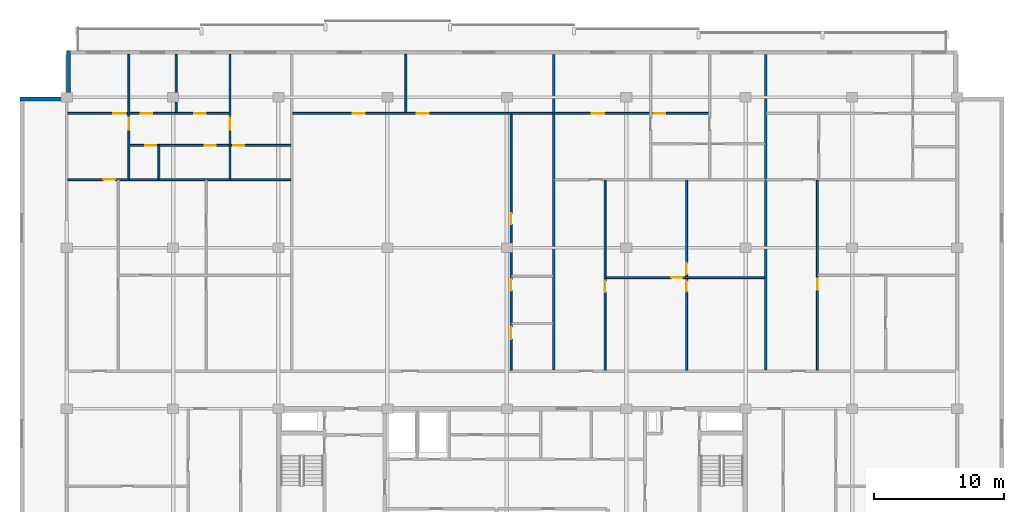
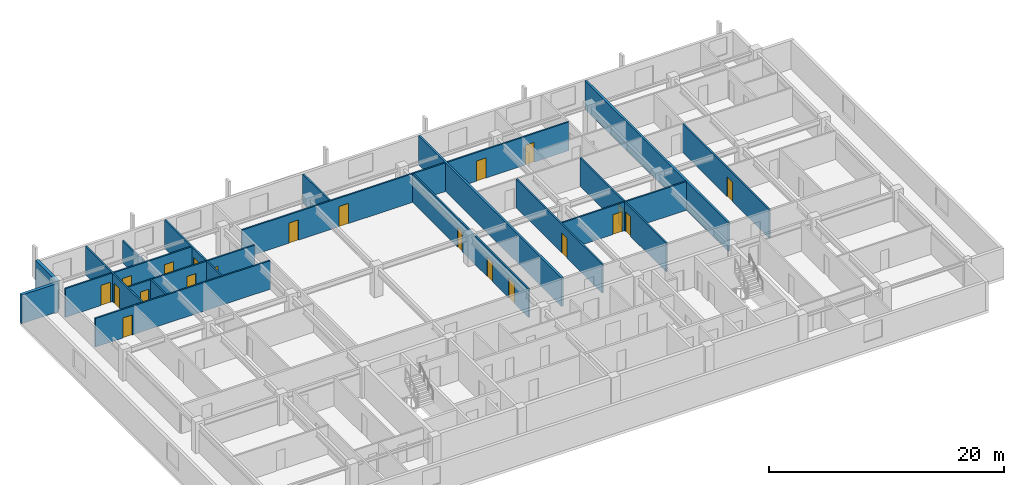
# One storey, part 6 of 10: 21 doors, 20 walls, 21 openings.
"""IFC4 building model written with IfcOpenShell, lengths in metres."""

from ifc_helpers import new_model, si_unit, direction, frame, frame_2d, origin, place, context, subcontext, project, spatial, rectangle, extrude, material, layer, layer_set, type_object, element, fill, save


model = new_model("IFC4")

# Units and contexts
model_context = context("Model", 3, precision=1e-05, world=origin(), true_north=direction((0.0, 1.0)))
body_context = subcontext(model_context, "Body", "Model", "MODEL_VIEW")
ifc_project = project(units=[si_unit("LENGTHUNIT", "METRE"), si_unit("AREAUNIT", "SQUARE_METRE"), si_unit("VOLUMEUNIT", "CUBIC_METRE"), si_unit("PLANEANGLEUNIT", "RADIAN"), si_unit("MASSUNIT", "GRAM", prefix="KILO")], contexts=[model_context])

# Site, building, storey
site_placement = place(None, origin())
site = spatial("IfcSite", under=ifc_project, at=site_placement, CompositionType="ELEMENT")
building_placement = place(site_placement, origin())
building = spatial("IfcBuilding", under=site, at=building_placement, Name="Korimba Cascade Residences", CompositionType="ELEMENT")
storey_placement = place(building_placement, frame((0.0, 0.0, 214.10009765625)))
storey = spatial("IfcBuildingStorey", under=building, at=storey_placement, Name="L62", CompositionType="ELEMENT", Elevation=214.10009765625)

# Walls
ifc_material_1 = material(Name="Precast concrete C40/50", Category="concrete")
ifc_layer_1 = layer(ifc_material_1, 0.300048828125)
ifc_layer_set_1 = layer_set([ifc_layer_1], Name="Precast concrete C40/50")
wall_type_1 = type_object("IfcWallType", Name="EW-STONE-300", PredefinedType="STANDARD", material=ifc_layer_set_1)
for number, where, z_axis, x_axis, name in (
    (1, (59.949951171875, 94.800048828125, 0.0), (0.0, 0.0, 1.0), (0.0, -1.0, 0.0), "L62 T1 Perimeter Stone Wall E07"),
    (2, (59.800048828125, 91.050048828125, 0.0), (0.0, 0.0, 1.0), (-1.0, 0.0, 0.0), "L62 T1 Perimeter Stone Wall E08"),
):
    element("IfcWall", number, at=place(storey_placement, frame(where, z_axis=z_axis, x_axis=x_axis)), inside=storey, type_object=wall_type_1, Name=name, PredefinedType="STANDARD", context=body_context, shape_type="SweptSolid", body=[
        extrude(rectangle(XDim=3.60009765625, YDim=0.300048828125, at=frame_2d((1.800048828125, 0.0))), origin(), (0.0, 0.0, 1.0), 2.969970703125),
    ])
ifc_layer_2 = layer(ifc_material_1, 0.199951171875)
ifc_layer_set_2 = layer_set([ifc_layer_2], Name="Precast concrete C40/50")
wall_type_2 = type_object("IfcWallType", Name="WAL-IT-200", PredefinedType="PARTITIONING", material=ifc_layer_set_2)
for number, where, z_axis, x_axis, name in (
    (3, (97.3046875, 70.179931640625, 0.0), (0.0, 0.0, 1.0), (0.0, 1.0, 0.0), "L62 Partition Wall WAL-L62-T1-DEM-2"),
    (4, (113.65625, 70.179931640625, 0.0), (0.0, 0.0, 1.0), (0.0, 1.0, 0.0), "L62 Partition Wall WAL-L62-T1-DEM-3"),
):
    element("IfcWall", number, at=place(storey_placement, frame(where, z_axis=z_axis, x_axis=x_axis)), inside=storey, type_object=wall_type_2, Name=name, PredefinedType="PARTITIONING", context=body_context, shape_type="SweptSolid", body=[
        extrude(rectangle(XDim=24.320068359375, YDim=0.199951171875, at=frame_2d((12.16015625, 0.0))), origin(), (0.0, 0.0, 1.0), 2.969970703125),
    ])
ifc_material_2 = material(Name="Insulated Acoustic Stud Partition", Category="gypsum")
ifc_layer_3 = layer(ifc_material_2, 0.14990234375)
ifc_layer_set_3 = layer_set([ifc_layer_3], Name="Insulated Acoustic Stud Partition")
wall_type_3 = type_object("IfcWallType", Name="WAL-PART-150", PredefinedType="PARTITIONING", material=ifc_layer_set_3)
wall_1_placement = place(storey_placement, frame((66.89990234375, 84.889892578125, 0.0), z_axis=(0.0, 0.0, 1.0), x_axis=(0.0, 1.0, 0.0)))
element("IfcWall", 5, at=wall_1_placement, inside=storey, type_object=wall_type_3, Name="L62 Partition Wall WAL-L62-T1-U01-VDRS", PredefinedType="PARTITIONING", context=body_context, shape_type="SweptSolid", body=[
    extrude(rectangle(XDim=2.580078125, YDim=0.14990234375, at=frame_2d((1.2900390625, 0.0))), origin(), (0.0, 0.0, 1.0), 2.969970703125),
])
wall_2_placement = place(storey_placement, frame((68.23291015625, 90.030029296875, 0.0), z_axis=(0.0, 0.0, 1.0), x_axis=(0.0, 1.0, 0.0)))
element("IfcWall", 6, at=wall_2_placement, inside=storey, type_object=wall_type_3, Name="L62 Partition Wall WAL-L62-T1-U01-VSTD", PredefinedType="PARTITIONING", context=body_context, shape_type="SweptSolid", body=[
    extrude(rectangle(XDim=4.469970703125, YDim=0.14990234375, at=frame_2d((2.23486328125, 0.0))), origin(), (0.0, 0.0, 1.0), 2.277099609375),
])

# Wall, opening, door
wall_3_placement = place(storey_placement, frame((64.590087890625, 84.889892578125, 0.0), z_axis=(0.0, 0.0, 1.0), x_axis=(0.0, 1.0, 0.0)))
wall_3 = element("IfcWall", 7, at=wall_3_placement, inside=storey, type_object=wall_type_3, Name="L62 Partition Wall WAL-L62-T1-U01-V1", PredefinedType="PARTITIONING", context=body_context, shape_type="SweptSolid", body=[
    extrude(rectangle(XDim=9.610107421875, YDim=0.14990234375, at=frame_2d((4.80517578125, 0.0))), origin(), (0.0, 0.0, 1.0), 2.969970703125),
])
opening_1_placement = place(wall_3_placement, frame((3.820068359375, 0.0, 0.0)))
opening_1 = element("IfcOpeningElement", 8, at=opening_1_placement, cuts=wall_3, Name="Opening D-IN1", PredefinedType="OPENING", context=body_context, shape_type="SweptSolid", body=[
    extrude(rectangle(XDim=0.919921875, YDim=2.080078125, at=frame_2d((0.4599609375, 1.0400390625))), frame((0.0, 0.0849609375, 0.0), z_axis=(0.0, -1.0, 0.0), x_axis=(1.0, 0.0, 0.0)), (0.0, 0.0, 1.0), 0.169921875),
])
ifc_material_3 = material(Name="Acoustic Timber Living Door", Category="wood")
door_type_1 = type_object("IfcDoorType", Name="DR-INT-920", OperationType="NOTDEFINED", PredefinedType="DOOR", material=ifc_material_3)
door_1_placement = place(opening_1_placement, origin())
door_1 = element("IfcDoor", 9, at=door_1_placement, inside=storey, type_object=door_type_1, Name="L62-T1-U01 Hallway Door", OperationType="SINGLE_SWING_RIGHT", OverallHeight=2.080078125, OverallWidth=0.919921875, PredefinedType="DOOR", context=body_context, shape_type="SweptSolid", body=[
    extrude(rectangle(XDim=0.919921875, YDim=2.080078125, at=frame_2d((0.4599609375, 1.0400390625))), frame((0.0, 0.02490234375, 0.0), z_axis=(0.0, -1.0, 0.0), x_axis=(1.0, 0.0, 0.0)), (0.0, 0.0, 1.0), 0.050048828125),
])
fill(opening_1, door_1)

# Wall
wall_4_placement = place(storey_placement, frame((72.375732421875, 84.889892578125, 0.0), z_axis=(0.0, 0.0, 1.0), x_axis=(0.0, 1.0, 0.0)))
element("IfcWall", 10, at=wall_4_placement, inside=storey, type_object=wall_type_3, Name="L62 Partition Wall WAL-L62-T1-U01-VBATH", PredefinedType="PARTITIONING", context=body_context, shape_type="SweptSolid", body=[
    extrude(rectangle(XDim=2.580078125, YDim=0.14990234375, at=frame_2d((1.2900390625, 0.0))), origin(), (0.0, 0.0, 1.0), 2.969970703125),
])

# Wall, opening, door
wall_5_placement = place(storey_placement, frame((72.375732421875, 87.510009765625, 0.0), z_axis=(0.0, 0.0, 1.0), x_axis=(0.0, 1.0, 0.0)))
wall_5 = element("IfcWall", 11, at=wall_5_placement, inside=storey, type_object=wall_type_3, Name="L62 Partition Wall WAL-L62-T1-U01-V2FULL", PredefinedType="PARTITIONING", context=body_context, shape_type="SweptSolid", body=[
    extrude(rectangle(XDim=6.989990234375, YDim=0.14990234375, at=frame_2d((3.4951171875, 0.0))), origin(), (0.0, 0.0, 1.0), 2.969970703125),
])
opening_2_placement = place(wall_5_placement, frame((1.199951171875, 0.0, 0.0)))
opening_2 = element("IfcOpeningElement", 12, at=opening_2_placement, cuts=wall_5, Name="Opening D-IN1", PredefinedType="OPENING", context=body_context, shape_type="SweptSolid", body=[
    extrude(rectangle(XDim=0.919921875, YDim=2.080078125, at=frame_2d((0.4599609375, 1.0400390625))), frame((0.0, 0.0849609375, 0.0), z_axis=(0.0, -1.0, 0.0), x_axis=(1.0, 0.0, 0.0)), (0.0, 0.0, 1.0), 0.169921875),
])
door_2_placement = place(opening_2_placement, origin())
door_2 = element("IfcDoor", 13, at=door_2_placement, inside=storey, type_object=door_type_1, Name="L62-T1-U01 Master Bedroom Door", OperationType="SINGLE_SWING_LEFT", OverallHeight=2.080078125, OverallWidth=0.919921875, PredefinedType="DOOR", context=body_context, shape_type="SweptSolid", body=[
    extrude(rectangle(XDim=0.919921875, YDim=2.080078125, at=frame_2d((0.4599609375, 1.0400390625))), frame((0.0, 0.02490234375, 0.0), z_axis=(0.0, -1.0, 0.0), x_axis=(1.0, 0.0, 0.0)), (0.0, 0.0, 1.0), 0.050048828125),
])
fill(opening_2, door_2)

# Wall, openings, doors
wall_6_placement = place(storey_placement, frame((64.6298828125, 87.489990234375, 0.0), z_axis=(0.0, 0.0, 1.0), x_axis=(1.0, 0.0, 0.0)))
wall_6 = element("IfcWall", 14, at=wall_6_placement, inside=storey, type_object=wall_type_3, Name="L62 Partition Wall WAL-L62-T1-U01-HWALL", PredefinedType="PARTITIONING", context=body_context, shape_type="SweptSolid", body=[
    extrude(rectangle(XDim=12.435791015625, YDim=0.14990234375, at=frame_2d((6.2177734375, 0.0))), origin(), (0.0, 0.0, 1.0), 2.969970703125),
])
opening_3_placement = place(wall_6_placement, frame((1.2099609375, 0.0, 0.0)))
opening_3 = element("IfcOpeningElement", 15, at=opening_3_placement, cuts=wall_6, Name="Opening D-BT1", PredefinedType="OPENING", context=body_context, shape_type="SweptSolid", body=[
    extrude(rectangle(XDim=0.840087890625, YDim=2.0400390625, at=frame_2d((0.419921875, 1.02001953125))), frame((0.0, 0.0849609375, 0.0), z_axis=(0.0, -1.0, 0.0), x_axis=(1.0, 0.0, 0.0)), (0.0, 0.0, 1.0), 0.169921875),
])
opening_4_placement = place(wall_6_placement, frame((5.7978515625, 0.0, 0.0)))
opening_4 = element("IfcOpeningElement", 16, at=opening_4_placement, cuts=wall_6, Name="Opening D-BT1", PredefinedType="OPENING", context=body_context, shape_type="SweptSolid", body=[
    extrude(rectangle(XDim=0.840087890625, YDim=2.0400390625, at=frame_2d((0.419921875, 1.02001953125))), frame((0.0, 0.0849609375, 0.0), z_axis=(0.0, -1.0, 0.0), x_axis=(1.0, 0.0, 0.0)), (0.0, 0.0, 1.0), 0.169921875),
])
opening_5_placement = place(wall_6_placement, frame((7.99560546875, 0.0, 0.0)))
opening_5 = element("IfcOpeningElement", 17, at=opening_5_placement, cuts=wall_6, Name="Opening D-BT1", PredefinedType="OPENING", context=body_context, shape_type="SweptSolid", body=[
    extrude(rectangle(XDim=0.840087890625, YDim=2.0400390625, at=frame_2d((0.419921875, 1.02001953125))), frame((0.0, 0.0849609375, 0.0), z_axis=(0.0, -1.0, 0.0), x_axis=(1.0, 0.0, 0.0)), (0.0, 0.0, 1.0), 0.169921875),
])
ifc_material_4 = material(Name="Moisture-Resistant Bathroom Timber Door", Category="wood")
door_type_2 = type_object("IfcDoorType", Name="DR-INT-850", OperationType="NOTDEFINED", PredefinedType="DOOR", material=ifc_material_4)
door_3_placement = place(opening_3_placement, origin())
door_3 = element("IfcDoor", 18, at=door_3_placement, inside=storey, type_object=door_type_2, Name="L62-T1-U01 Family Bathroom Door", OperationType="SINGLE_SWING_RIGHT", OverallHeight=2.0400390625, OverallWidth=0.840087890625, PredefinedType="DOOR", context=body_context, shape_type="SweptSolid", body=[
    extrude(rectangle(XDim=0.840087890625, YDim=2.0400390625, at=frame_2d((0.419921875, 1.02001953125))), frame((0.0, 0.02490234375, 0.0), z_axis=(0.0, -1.0, 0.0), x_axis=(1.0, 0.0, 0.0)), (0.0, 0.0, 1.0), 0.050048828125),
])
fill(opening_3, door_3)
door_4_placement = place(opening_4_placement, origin())
door_4 = element("IfcDoor", 19, at=door_4_placement, inside=storey, type_object=door_type_2, Name="L62-T1-U01 Dressing Room Door", OperationType="SINGLE_SWING_LEFT", OverallHeight=2.0400390625, OverallWidth=0.840087890625, PredefinedType="DOOR", context=body_context, shape_type="SweptSolid", body=[
    extrude(rectangle(XDim=0.840087890625, YDim=2.0400390625, at=frame_2d((0.419921875, 1.02001953125))), frame((0.0, 0.02490234375, 0.0), z_axis=(0.0, -1.0, 0.0), x_axis=(1.0, 0.0, 0.0)), (0.0, 0.0, 1.0), 0.050048828125),
])
fill(opening_4, door_4)
door_5_placement = place(opening_5_placement, origin())
door_5 = element("IfcDoor", 20, at=door_5_placement, inside=storey, type_object=door_type_2, Name="L62-T1-U01 En-Suite Door", OperationType="SINGLE_SWING_RIGHT", OverallHeight=2.0400390625, OverallWidth=0.840087890625, PredefinedType="DOOR", context=body_context, shape_type="SweptSolid", body=[
    extrude(rectangle(XDim=0.840087890625, YDim=2.0400390625, at=frame_2d((0.419921875, 1.02001953125))), frame((0.0, 0.02490234375, 0.0), z_axis=(0.0, -1.0, 0.0), x_axis=(1.0, 0.0, 0.0)), (0.0, 0.0, 1.0), 0.050048828125),
])
fill(opening_5, door_5)

# Wall, opening, door
wall_7_placement = place(storey_placement, frame((59.8798828125, 84.85009765625, 0.0), z_axis=(0.0, 0.0, 1.0), x_axis=(1.0, 0.0, 0.0)))
wall_7 = element("IfcWall", 21, at=wall_7_placement, inside=storey, type_object=wall_type_3, Name="L62 Partition Wall WAL-L62-T1-U01-MW", PredefinedType="PARTITIONING", context=body_context, shape_type="SweptSolid", body=[
    extrude(rectangle(XDim=17.185791015625, YDim=0.14990234375, at=frame_2d((8.5927734375, 0.0))), origin(), (0.0, 0.0, 1.0), 2.969970703125),
])
opening_6_placement = place(wall_7_placement, frame((2.719970703125, 0.0, 0.0)))
opening_6 = element("IfcOpeningElement", 22, at=opening_6_placement, cuts=wall_7, Name="Opening D-IN1", PredefinedType="OPENING", context=body_context, shape_type="SweptSolid", body=[
    extrude(rectangle(XDim=0.919921875, YDim=2.080078125, at=frame_2d((0.4599609375, 1.0400390625))), frame((0.0, 0.0849609375, 0.0), z_axis=(0.0, -1.0, 0.0), x_axis=(1.0, 0.0, 0.0)), (0.0, 0.0, 1.0), 0.169921875),
])
door_6_placement = place(opening_6_placement, origin())
door_6 = element("IfcDoor", 23, at=door_6_placement, inside=storey, type_object=door_type_1, Name="L62-T1-U01 Kitchen Door", OperationType="SINGLE_SWING_LEFT", OverallHeight=2.080078125, OverallWidth=0.919921875, PredefinedType="DOOR", context=body_context, shape_type="SweptSolid", body=[
    extrude(rectangle(XDim=0.919921875, YDim=2.080078125, at=frame_2d((0.4599609375, 1.0400390625))), frame((0.0, 0.02490234375, 0.0), z_axis=(0.0, -1.0, 0.0), x_axis=(1.0, 0.0, 0.0)), (0.0, 0.0, 1.0), 0.050048828125),
])
fill(opening_6, door_6)

# Wall, openings, doors
wall_8_placement = place(storey_placement, frame((59.8798828125, 89.949951171875, 0.0), z_axis=(0.0, 0.0, 1.0), x_axis=(1.0, 0.0, 0.0)))
wall_8 = element("IfcWall", 24, at=wall_8_placement, inside=storey, type_object=wall_type_3, Name="L62 Partition Wall WAL-L62-T1-U01-HZ", PredefinedType="PARTITIONING", context=body_context, shape_type="SweptSolid", body=[
    extrude(rectangle(XDim=12.495849609375, YDim=0.14990234375, at=frame_2d((6.248046875, 0.0))), origin(), (0.0, 0.0, 1.0), 2.969970703125),
])
opening_7_placement = place(wall_8_placement, frame((3.52001953125, 0.0, 0.0)))
opening_7 = element("IfcOpeningElement", 25, at=opening_7_placement, cuts=wall_8, Name="Opening D-IN0", PredefinedType="OPENING", context=body_context, shape_type="SweptSolid", body=[
    extrude(rectangle(XDim=0.93994140625, YDim=2.10009765625, at=frame_2d((0.469970703125, 1.050048828125))), frame((0.0, 0.0849609375, 0.0), z_axis=(0.0, -1.0, 0.0), x_axis=(1.0, 0.0, 0.0)), (0.0, 0.0, 1.0), 0.169921875),
])
opening_8_placement = place(wall_8_placement, frame((5.626708984375, 0.0, 0.0)))
opening_8 = element("IfcOpeningElement", 26, at=opening_8_placement, cuts=wall_8, Name="Opening D-IN2", PredefinedType="OPENING", context=body_context, shape_type="SweptSolid", body=[
    extrude(rectangle(XDim=0.8798828125, YDim=2.06005859375, at=frame_2d((0.43994140625, 1.030029296875))), frame((0.0, 0.0849609375, 0.0), z_axis=(0.0, -1.0, 0.0), x_axis=(1.0, 0.0, 0.0)), (0.0, 0.0, 1.0), 0.169921875),
])
opening_9_placement = place(wall_8_placement, frame((9.75830078125, 0.0, 0.0)))
opening_9 = element("IfcOpeningElement", 27, at=opening_9_placement, cuts=wall_8, Name="Opening D-IN2", PredefinedType="OPENING", context=body_context, shape_type="SweptSolid", body=[
    extrude(rectangle(XDim=0.8798828125, YDim=2.06005859375, at=frame_2d((0.43994140625, 1.030029296875))), frame((0.0, 0.0849609375, 0.0), z_axis=(0.0, -1.0, 0.0), x_axis=(1.0, 0.0, 0.0)), (0.0, 0.0, 1.0), 0.169921875),
])
ifc_material_5 = material(Name="Acoustic Timber Bedroom Door", Category="wood")
door_type_3 = type_object("IfcDoorType", Name="DR-INT-880", OperationType="NOTDEFINED", PredefinedType="DOOR", material=ifc_material_5)
door_7_placement = place(opening_8_placement, origin())
door_7 = element("IfcDoor", 28, at=door_7_placement, inside=storey, type_object=door_type_3, Name="L62-T1-U01 Bedroom 2 Door", OperationType="SINGLE_SWING_LEFT", OverallHeight=2.06005859375, OverallWidth=0.8798828125, PredefinedType="DOOR", context=body_context, shape_type="SweptSolid", body=[
    extrude(rectangle(XDim=0.8798828125, YDim=2.06005859375, at=frame_2d((0.43994140625, 1.030029296875))), frame((0.0, 0.02490234375, 0.0), z_axis=(0.0, -1.0, 0.0), x_axis=(1.0, 0.0, 0.0)), (0.0, 0.0, 1.0), 0.050048828125),
])
fill(opening_8, door_7)
door_8_placement = place(opening_9_placement, origin())
door_8 = element("IfcDoor", 29, at=door_8_placement, inside=storey, type_object=door_type_3, Name="L62-T1-U01 Study Door", OperationType="SINGLE_SWING_RIGHT", OverallHeight=2.06005859375, OverallWidth=0.8798828125, PredefinedType="DOOR", context=body_context, shape_type="SweptSolid", body=[
    extrude(rectangle(XDim=0.8798828125, YDim=2.06005859375, at=frame_2d((0.43994140625, 1.030029296875))), frame((0.0, 0.02490234375, 0.0), z_axis=(0.0, -1.0, 0.0), x_axis=(1.0, 0.0, 0.0)), (0.0, 0.0, 1.0), 0.050048828125),
])
fill(opening_9, door_8)
ifc_material_6 = material(Name="Acoustic Timber Living Archway Door", Category="wood")
door_type_4 = type_object("IfcDoorType", Name="DR-INT-950", OperationType="NOTDEFINED", PredefinedType="DOOR", material=ifc_material_6)
door_9_placement = place(opening_7_placement, origin())
door_9 = element("IfcDoor", 30, at=door_9_placement, inside=storey, type_object=door_type_4, Name="L62-T1-U01 Living Room Door", OperationType="SINGLE_SWING_RIGHT", OverallHeight=2.10009765625, OverallWidth=0.93994140625, PredefinedType="DOOR", context=body_context, shape_type="SweptSolid", body=[
    extrude(rectangle(XDim=0.93994140625, YDim=2.10009765625, at=frame_2d((0.469970703125, 1.050048828125))), frame((0.0, 0.02490234375, 0.0), z_axis=(0.0, -1.0, 0.0), x_axis=(1.0, 0.0, 0.0)), (0.0, 0.0, 1.0), 0.050048828125),
])
fill(opening_7, door_9)

wall_9_placement = place(storey_placement, frame((94.034912109375, 70.159912109375, 0.0), z_axis=(0.0, 0.0, 1.0), x_axis=(0.0, 1.0, 0.0)))
wall_9 = element("IfcWall", 31, at=wall_9_placement, inside=storey, type_object=wall_type_3, Name="L62 Partition Wall WAL-L62-T1-U02-WCV", PredefinedType="PARTITIONING", context=body_context, shape_type="SweptSolid", body=[
    extrude(rectangle(XDim=19.72998046875, YDim=0.14990234375, at=frame_2d((9.864990234375, 0.0))), origin(), (0.0, 0.0, 1.0), 2.969970703125),
])
opening_10_placement = place(wall_9_placement, frame((2.406005859375, 0.0, 0.0)))
opening_10 = element("IfcOpeningElement", 32, at=opening_10_placement, cuts=wall_9, Name="Opening D-AC1", PredefinedType="OPENING", context=body_context, shape_type="SweptSolid", body=[
    extrude(rectangle(XDim=0.9599609375, YDim=2.10009765625, at=frame_2d((0.47998046875, 1.050048828125))), frame((0.0, 0.0849609375, 0.0), z_axis=(0.0, -1.0, 0.0), x_axis=(1.0, 0.0, 0.0)), (0.0, 0.0, 1.0), 0.169921875),
])
opening_11_placement = place(wall_9_placement, frame((6.132568359375, 0.0, 0.0)))
opening_11 = element("IfcOpeningElement", 33, at=opening_11_placement, cuts=wall_9, Name="Opening D-IN2", PredefinedType="OPENING", context=body_context, shape_type="SweptSolid", body=[
    extrude(rectangle(XDim=0.8798828125, YDim=2.06005859375, at=frame_2d((0.43994140625, 1.030029296875))), frame((0.0, 0.0849609375, 0.0), z_axis=(0.0, -1.0, 0.0), x_axis=(1.0, 0.0, 0.0)), (0.0, 0.0, 1.0), 0.169921875),
])
opening_12_placement = place(wall_9_placement, frame((11.2578125, 0.0, 0.0)))
opening_12 = element("IfcOpeningElement", 34, at=opening_12_placement, cuts=wall_9, Name="Opening D-BT1", PredefinedType="OPENING", context=body_context, shape_type="SweptSolid", body=[
    extrude(rectangle(XDim=0.840087890625, YDim=2.0400390625, at=frame_2d((0.419921875, 1.02001953125))), frame((0.0, 0.0849609375, 0.0), z_axis=(0.0, -1.0, 0.0), x_axis=(1.0, 0.0, 0.0)), (0.0, 0.0, 1.0), 0.169921875),
])
ifc_material_7 = material(Name="Accessible Acoustic Timber WC Door", Category="wood")
door_type_5 = type_object("IfcDoorType", Name="DR-ACC-950", OperationType="NOTDEFINED", PredefinedType="DOOR", material=ifc_material_7)
door_10_placement = place(opening_10_placement, origin())
door_10 = element("IfcDoor", 35, at=door_10_placement, inside=storey, type_object=door_type_5, Name="L62-T1-U02 Accessible WC Door", OperationType="SINGLE_SWING_LEFT", OverallHeight=2.10009765625, OverallWidth=0.9599609375, PredefinedType="DOOR", context=body_context, shape_type="SweptSolid", body=[
    extrude(rectangle(XDim=0.9599609375, YDim=2.10009765625, at=frame_2d((0.47998046875, 1.050048828125))), frame((0.0, 0.02490234375, 0.0), z_axis=(0.0, -1.0, 0.0), x_axis=(1.0, 0.0, 0.0)), (0.0, 0.0, 1.0), 0.050048828125),
])
fill(opening_10, door_10)
door_11_placement = place(opening_12_placement, origin())
door_11 = element("IfcDoor", 36, at=door_11_placement, inside=storey, type_object=door_type_2, Name="L62-T1-U02 Suite Store Door", OperationType="SINGLE_SWING_LEFT", OverallHeight=2.0400390625, OverallWidth=0.840087890625, PredefinedType="DOOR", context=body_context, shape_type="SweptSolid", body=[
    extrude(rectangle(XDim=0.840087890625, YDim=2.0400390625, at=frame_2d((0.419921875, 1.02001953125))), frame((0.0, 0.02490234375, 0.0), z_axis=(0.0, -1.0, 0.0), x_axis=(1.0, 0.0, 0.0)), (0.0, 0.0, 1.0), 0.050048828125),
])
fill(opening_12, door_11)
door_12_placement = place(opening_11_placement, origin())
door_12 = element("IfcDoor", 37, at=door_12_placement, inside=storey, type_object=door_type_3, Name="L62-T1-U02 Restroom WC Door", OperationType="SINGLE_SWING_RIGHT", OverallHeight=2.06005859375, OverallWidth=0.8798828125, PredefinedType="DOOR", context=body_context, shape_type="SweptSolid", body=[
    extrude(rectangle(XDim=0.8798828125, YDim=2.06005859375, at=frame_2d((0.43994140625, 1.030029296875))), frame((0.0, 0.02490234375, 0.0), z_axis=(0.0, -1.0, 0.0), x_axis=(1.0, 0.0, 0.0)), (0.0, 0.0, 1.0), 0.050048828125),
])
fill(opening_11, door_12)

# Wall
wall_10_placement = place(storey_placement, frame((85.920166015625, 90.030029296875, 0.0), z_axis=(0.0, 0.0, 1.0), x_axis=(0.0, 1.0, 0.0)))
element("IfcWall", 38, at=wall_10_placement, inside=storey, type_object=wall_type_3, Name="L62 Partition Wall WAL-L62-T1-U02-OUTV", PredefinedType="PARTITIONING", context=body_context, shape_type="SweptSolid", body=[
    extrude(rectangle(XDim=4.469970703125, YDim=0.14990234375, at=frame_2d((2.23486328125, 0.0))), origin(), (0.0, 0.0, 1.0), 2.969970703125),
])

# Wall, openings, doors
wall_11_placement = place(storey_placement, frame((77.2255859375, 89.949951171875, 0.0), z_axis=(0.0, 0.0, 1.0), x_axis=(1.0, 0.0, 0.0)))
wall_11 = element("IfcWall", 39, at=wall_11_placement, inside=storey, type_object=wall_type_3, Name="L62 Partition Wall WAL-L62-T1-U02-HZ", PredefinedType="PARTITIONING", context=body_context, shape_type="SweptSolid", body=[
    extrude(rectangle(XDim=19.999267578125, YDim=0.14990234375, at=frame_2d((9.99951171875, 0.0))), origin(), (0.0, 0.0, 1.0), 2.969970703125),
])
opening_13_placement = place(wall_11_placement, frame((4.602783203125, 0.0, 0.0)))
opening_13 = element("IfcOpeningElement", 40, at=opening_13_placement, cuts=wall_11, Name="Opening D-IN0", PredefinedType="OPENING", context=body_context, shape_type="SweptSolid", body=[
    extrude(rectangle(XDim=0.93994140625, YDim=2.10009765625, at=frame_2d((0.469970703125, 1.050048828125))), frame((0.0, 0.0849609375, 0.0), z_axis=(0.0, -1.0, 0.0), x_axis=(1.0, 0.0, 0.0)), (0.0, 0.0, 1.0), 0.169921875),
])
opening_14_placement = place(wall_11_placement, frame((9.529541015625, 0.0, 0.0)))
opening_14 = element("IfcOpeningElement", 41, at=opening_14_placement, cuts=wall_11, Name="Opening D-IN0", PredefinedType="OPENING", context=body_context, shape_type="SweptSolid", body=[
    extrude(rectangle(XDim=0.93994140625, YDim=2.10009765625, at=frame_2d((0.469970703125, 1.050048828125))), frame((0.0, 0.0849609375, 0.0), z_axis=(0.0, -1.0, 0.0), x_axis=(1.0, 0.0, 0.0)), (0.0, 0.0, 1.0), 0.169921875),
])
door_13_placement = place(opening_13_placement, origin())
door_13 = element("IfcDoor", 42, at=door_13_placement, inside=storey, type_object=door_type_4, Name="L62-T1-U02 Executive Co-Working Office Door", OperationType="SINGLE_SWING_RIGHT", OverallHeight=2.10009765625, OverallWidth=0.93994140625, PredefinedType="DOOR", context=body_context, shape_type="SweptSolid", body=[
    extrude(rectangle(XDim=0.93994140625, YDim=2.10009765625, at=frame_2d((0.469970703125, 1.050048828125))), frame((0.0, 0.02490234375, 0.0), z_axis=(0.0, -1.0, 0.0), x_axis=(1.0, 0.0, 0.0)), (0.0, 0.0, 1.0), 0.050048828125),
])
fill(opening_13, door_13)
door_14_placement = place(opening_14_placement, origin())
door_14 = element("IfcDoor", 43, at=door_14_placement, inside=storey, type_object=door_type_4, Name="L62-T1-U02 Focus Workstation Office Door", OperationType="SINGLE_SWING_LEFT", OverallHeight=2.10009765625, OverallWidth=0.93994140625, PredefinedType="DOOR", context=body_context, shape_type="SweptSolid", body=[
    extrude(rectangle(XDim=0.93994140625, YDim=2.10009765625, at=frame_2d((0.469970703125, 1.050048828125))), frame((0.0, 0.02490234375, 0.0), z_axis=(0.0, -1.0, 0.0), x_axis=(1.0, 0.0, 0.0)), (0.0, 0.0, 1.0), 0.050048828125),
])
fill(opening_14, door_14)

wall_12_placement = place(storey_placement, frame((107.555419921875, 70.159912109375, 0.0), z_axis=(0.0, 0.0, 1.0), x_axis=(0.0, 1.0, 0.0)))
wall_12 = element("IfcWall", 44, at=wall_12_placement, inside=storey, type_object=wall_type_3, Name="L62 Partition Wall WAL-L62-T1-U03-FMV", PredefinedType="PARTITIONING", context=body_context, shape_type="SweptSolid", body=[
    extrude(rectangle(XDim=14.650146484375, YDim=0.14990234375, at=frame_2d((7.3251953125, 0.0))), origin(), (0.0, 0.0, 1.0), 2.969970703125),
])
opening_15_placement = place(wall_12_placement, frame((6.054931640625, 0.0, 0.0)))
opening_15 = element("IfcOpeningElement", 45, at=opening_15_placement, cuts=wall_12, Name="Opening D-BT1", PredefinedType="OPENING", context=body_context, shape_type="SweptSolid", body=[
    extrude(rectangle(XDim=0.840087890625, YDim=2.0400390625, at=frame_2d((0.419921875, 1.02001953125))), frame((0.0, 0.0849609375, 0.0), z_axis=(0.0, -1.0, 0.0), x_axis=(1.0, 0.0, 0.0)), (0.0, 0.0, 1.0), 0.169921875),
])
opening_16_placement = place(wall_12_placement, frame((7.39501953125, 0.0, 0.0)))
opening_16 = element("IfcOpeningElement", 46, at=opening_16_placement, cuts=wall_12, Name="Opening D-IN2", PredefinedType="OPENING", context=body_context, shape_type="SweptSolid", body=[
    extrude(rectangle(XDim=0.8798828125, YDim=2.06005859375, at=frame_2d((0.43994140625, 1.030029296875))), frame((0.0, 0.0849609375, 0.0), z_axis=(0.0, -1.0, 0.0), x_axis=(1.0, 0.0, 0.0)), (0.0, 0.0, 1.0), 0.169921875),
])
door_15_placement = place(opening_15_placement, origin())
door_15 = element("IfcDoor", 47, at=door_15_placement, inside=storey, type_object=door_type_2, Name="L62-T1-U03 Wardrobe Door", OperationType="SINGLE_SWING_RIGHT", OverallHeight=2.0400390625, OverallWidth=0.840087890625, PredefinedType="DOOR", context=body_context, shape_type="SweptSolid", body=[
    extrude(rectangle(XDim=0.840087890625, YDim=2.0400390625, at=frame_2d((0.419921875, 1.02001953125))), frame((0.0, 0.02490234375, 0.0), z_axis=(0.0, -1.0, 0.0), x_axis=(1.0, 0.0, 0.0)), (0.0, 0.0, 1.0), 0.050048828125),
])
fill(opening_15, door_15)
door_16_placement = place(opening_16_placement, origin())
door_16 = element("IfcDoor", 48, at=door_16_placement, inside=storey, type_object=door_type_3, Name="L62-T1-U03 Music Lounge Door", OperationType="SINGLE_SWING_LEFT", OverallHeight=2.06005859375, OverallWidth=0.8798828125, PredefinedType="DOOR", context=body_context, shape_type="SweptSolid", body=[
    extrude(rectangle(XDim=0.8798828125, YDim=2.06005859375, at=frame_2d((0.43994140625, 1.030029296875))), frame((0.0, 0.02490234375, 0.0), z_axis=(0.0, -1.0, 0.0), x_axis=(1.0, 0.0, 0.0)), (0.0, 0.0, 1.0), 0.050048828125),
])
fill(opening_16, door_16)

# Wall, opening, door
wall_13_placement = place(storey_placement, frame((101.334716796875, 77.304931640625, 0.0), z_axis=(0.0, 0.0, 1.0), x_axis=(1.0, 0.0, 0.0)))
wall_13 = element("IfcWall", 49, at=wall_13_placement, inside=storey, type_object=wall_type_3, Name="L62 Partition Wall WAL-L62-T1-U03-FMH", PredefinedType="PARTITIONING", context=body_context, shape_type="SweptSolid", body=[
    extrude(rectangle(XDim=12.241455078125, YDim=0.14990234375, at=frame_2d((6.12060546875, 0.0))), origin(), (0.0, 0.0, 1.0), 2.969970703125),
])
opening_17_placement = place(wall_13_placement, frame((5.025390625, 0.0, 0.0)))
opening_17 = element("IfcOpeningElement", 50, at=opening_17_placement, cuts=wall_13, Name="Opening D-IN2", PredefinedType="OPENING", context=body_context, shape_type="SweptSolid", body=[
    extrude(rectangle(XDim=0.8798828125, YDim=2.06005859375, at=frame_2d((0.43994140625, 1.030029296875))), frame((0.0, 0.0849609375, 0.0), z_axis=(0.0, -1.0, 0.0), x_axis=(1.0, 0.0, 0.0)), (0.0, 0.0, 1.0), 0.169921875),
])
door_17_placement = place(opening_17_placement, origin())
door_17 = element("IfcDoor", 51, at=door_17_placement, inside=storey, type_object=door_type_3, Name="L62-T1-U03 Library Salon Door", OperationType="SINGLE_SWING_RIGHT", OverallHeight=2.06005859375, OverallWidth=0.8798828125, PredefinedType="DOOR", context=body_context, shape_type="SweptSolid", body=[
    extrude(rectangle(XDim=0.8798828125, YDim=2.06005859375, at=frame_2d((0.43994140625, 1.030029296875))), frame((0.0, 0.02490234375, 0.0), z_axis=(0.0, -1.0, 0.0), x_axis=(1.0, 0.0, 0.0)), (0.0, 0.0, 1.0), 0.050048828125),
])
fill(opening_17, door_17)

wall_14_placement = place(storey_placement, frame((101.27490234375, 70.159912109375, 0.0), z_axis=(0.0, 0.0, 1.0), x_axis=(0.0, 1.0, 0.0)))
wall_14 = element("IfcWall", 52, at=wall_14_placement, inside=storey, type_object=wall_type_3, Name="L62 Partition Wall WAL-L62-T1-U03-FV", PredefinedType="PARTITIONING", context=body_context, shape_type="SweptSolid", body=[
    extrude(rectangle(XDim=14.650146484375, YDim=0.14990234375, at=frame_2d((7.3251953125, 0.0))), origin(), (0.0, 0.0, 1.0), 2.969970703125),
])
opening_18_placement = place(wall_14_placement, frame((6.014892578125, 0.0, 0.0)))
opening_18 = element("IfcOpeningElement", 53, at=opening_18_placement, cuts=wall_14, Name="Opening D-IN2", PredefinedType="OPENING", context=body_context, shape_type="SweptSolid", body=[
    extrude(rectangle(XDim=0.8798828125, YDim=2.06005859375, at=frame_2d((0.43994140625, 1.030029296875))), frame((0.0, 0.0849609375, 0.0), z_axis=(0.0, -1.0, 0.0), x_axis=(1.0, 0.0, 0.0)), (0.0, 0.0, 1.0), 0.169921875),
])
door_18_placement = place(opening_18_placement, origin())
door_18 = element("IfcDoor", 54, at=door_18_placement, inside=storey, type_object=door_type_3, Name="L62-T1-U03 Media Lounge Door", OperationType="SINGLE_SWING_LEFT", OverallHeight=2.06005859375, OverallWidth=0.8798828125, PredefinedType="DOOR", context=body_context, shape_type="SweptSolid", body=[
    extrude(rectangle(XDim=0.8798828125, YDim=2.06005859375, at=frame_2d((0.43994140625, 1.030029296875))), frame((0.0, 0.02490234375, 0.0), z_axis=(0.0, -1.0, 0.0), x_axis=(1.0, 0.0, 0.0)), (0.0, 0.0, 1.0), 0.050048828125),
])
fill(opening_18, door_18)

# Wall, openings, doors
wall_15_placement = place(storey_placement, frame((97.384765625, 89.949951171875, 0.0), z_axis=(0.0, 0.0, 1.0), x_axis=(1.0, 0.0, 0.0)))
wall_15 = element("IfcWall", 55, at=wall_15_placement, inside=storey, type_object=wall_type_3, Name="L62 Partition Wall WAL-L62-T1-U03-HZ", PredefinedType="PARTITIONING", context=body_context, shape_type="SweptSolid", body=[
    extrude(rectangle(XDim=11.94140625, YDim=0.14990234375, at=frame_2d((5.970703125, 0.0))), origin(), (0.0, 0.0, 1.0), 2.969970703125),
])
opening_19_placement = place(wall_15_placement, frame((2.870361328125, 0.0, 0.0)))
opening_19 = element("IfcOpeningElement", 56, at=opening_19_placement, cuts=wall_15, Name="Opening D-IN0", PredefinedType="OPENING", context=body_context, shape_type="SweptSolid", body=[
    extrude(rectangle(XDim=0.93994140625, YDim=2.10009765625, at=frame_2d((0.469970703125, 1.050048828125))), frame((0.0, 0.0849609375, 0.0), z_axis=(0.0, -1.0, 0.0), x_axis=(1.0, 0.0, 0.0)), (0.0, 0.0, 1.0), 0.169921875),
])
opening_20_placement = place(wall_15_placement, frame((7.645263671875, 0.0, 0.0)))
opening_20 = element("IfcOpeningElement", 57, at=opening_20_placement, cuts=wall_15, Name="Opening D-IN2", PredefinedType="OPENING", context=body_context, shape_type="SweptSolid", body=[
    extrude(rectangle(XDim=0.8798828125, YDim=2.06005859375, at=frame_2d((0.43994140625, 1.030029296875))), frame((0.0, 0.0849609375, 0.0), z_axis=(0.0, -1.0, 0.0), x_axis=(1.0, 0.0, 0.0)), (0.0, 0.0, 1.0), 0.169921875),
])
door_19_placement = place(opening_20_placement, origin())
door_19 = element("IfcDoor", 58, at=door_19_placement, inside=storey, type_object=door_type_3, Name="L62-T1-U03 Bedroom 2 Door", OperationType="SINGLE_SWING_RIGHT", OverallHeight=2.06005859375, OverallWidth=0.8798828125, PredefinedType="DOOR", context=body_context, shape_type="SweptSolid", body=[
    extrude(rectangle(XDim=0.8798828125, YDim=2.06005859375, at=frame_2d((0.43994140625, 1.030029296875))), frame((0.0, 0.02490234375, 0.0), z_axis=(0.0, -1.0, 0.0), x_axis=(1.0, 0.0, 0.0)), (0.0, 0.0, 1.0), 0.050048828125),
])
fill(opening_20, door_19)
door_20_placement = place(opening_19_placement, origin())
door_20 = element("IfcDoor", 59, at=door_20_placement, inside=storey, type_object=door_type_4, Name="L62-T1-U03 Living Room Door", OperationType="SINGLE_SWING_LEFT", OverallHeight=2.10009765625, OverallWidth=0.93994140625, PredefinedType="DOOR", context=body_context, shape_type="SweptSolid", body=[
    extrude(rectangle(XDim=0.93994140625, YDim=2.10009765625, at=frame_2d((0.469970703125, 1.050048828125))), frame((0.0, 0.02490234375, 0.0), z_axis=(0.0, -1.0, 0.0), x_axis=(1.0, 0.0, 0.0)), (0.0, 0.0, 1.0), 0.050048828125),
])
fill(opening_19, door_20)

# Wall, opening, door
wall_16_placement = place(storey_placement, frame((117.626220703125, 70.159912109375, 0.0), z_axis=(0.0, 0.0, 1.0), x_axis=(0.0, 1.0, 0.0)))
wall_16 = element("IfcWall", 60, at=wall_16_placement, inside=storey, type_object=wall_type_3, Name="L62 Partition Wall WAL-L62-T1-U04-FV", PredefinedType="PARTITIONING", context=body_context, shape_type="SweptSolid", body=[
    extrude(rectangle(XDim=14.650146484375, YDim=0.14990234375, at=frame_2d((7.3251953125, 0.0))), origin(), (0.0, 0.0, 1.0), 2.969970703125),
])
opening_21_placement = place(wall_16_placement, frame((6.195068359375, 0.0, 0.0)))
opening_21 = element("IfcOpeningElement", 61, at=opening_21_placement, cuts=wall_16, Name="Opening D-IN2", PredefinedType="OPENING", context=body_context, shape_type="SweptSolid", body=[
    extrude(rectangle(XDim=0.8798828125, YDim=2.06005859375, at=frame_2d((0.43994140625, 1.030029296875))), frame((0.0, 0.0849609375, 0.0), z_axis=(0.0, -1.0, 0.0), x_axis=(1.0, 0.0, 0.0)), (0.0, 0.0, 1.0), 0.169921875),
])
door_21_placement = place(opening_21_placement, origin())
door_21 = element("IfcDoor", 62, at=door_21_placement, inside=storey, type_object=door_type_3, Name="L62-T1-U04 Media Lounge Door", OperationType="SINGLE_SWING_LEFT", OverallHeight=2.06005859375, OverallWidth=0.8798828125, PredefinedType="DOOR", context=body_context, shape_type="SweptSolid", body=[
    extrude(rectangle(XDim=0.8798828125, YDim=2.06005859375, at=frame_2d((0.43994140625, 1.030029296875))), frame((0.0, 0.02490234375, 0.0), z_axis=(0.0, -1.0, 0.0), x_axis=(1.0, 0.0, 0.0)), (0.0, 0.0, 1.0), 0.050048828125),
])
fill(opening_21, door_21)

save(model, "model.ifc")
